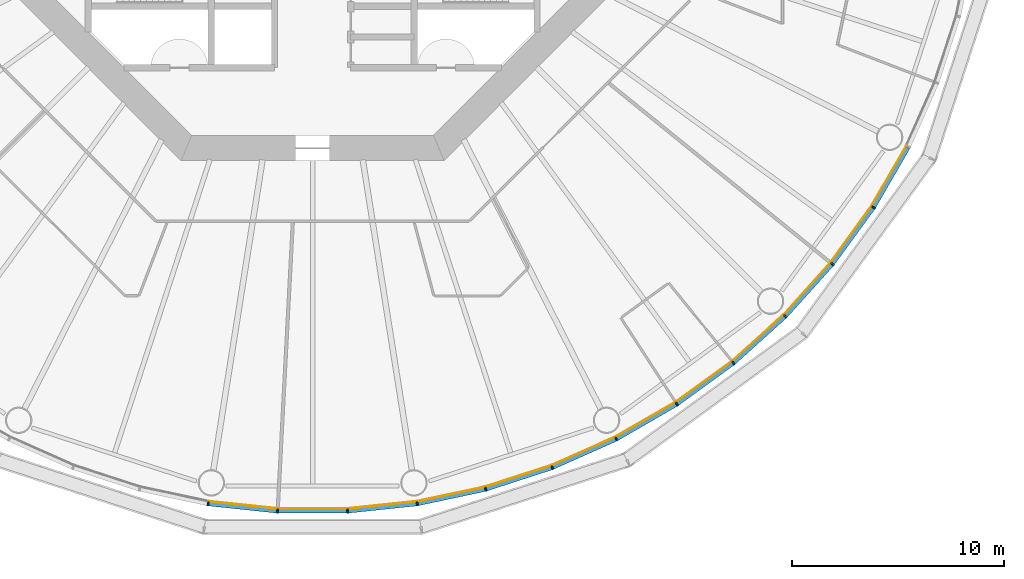
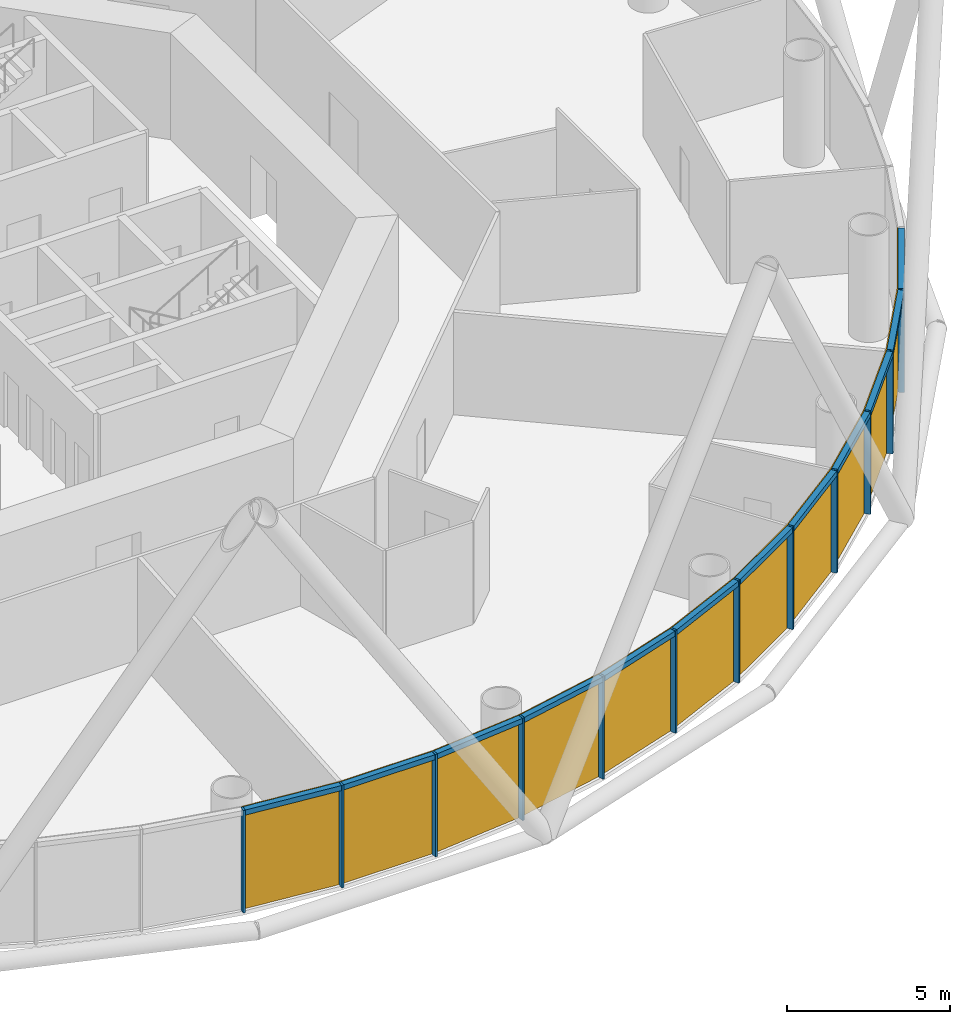
# One storey, part 9 of 14: 24 members, 4 curtain walls.
"""IFC4 building model written with IfcOpenShell, lengths in metres."""

from ifc_helpers import new_model, si_unit, direction, frame, origin, origin_2d, place, context, subcontext, project, spatial, polyline, rectangle, outline, extrude, material, layer, layer_set, material_profile, profile_set, type_object, element, aggregate, save


model = new_model("IFC4")

# Units and contexts
model_context = context("Model", 3, precision=1e-05, world=origin(), true_north=direction((0.0, 1.0)))
body_context = subcontext(model_context, "Body", "Model", "MODEL_VIEW")
ifc_project = project(units=[si_unit("LENGTHUNIT", "METRE"), si_unit("AREAUNIT", "SQUARE_METRE"), si_unit("VOLUMEUNIT", "CUBIC_METRE"), si_unit("PLANEANGLEUNIT", "RADIAN"), si_unit("MASSUNIT", "GRAM", prefix="KILO")], contexts=[model_context])

# Member
ifc_material_1 = material(Name="Anodised aluminium", Category="aluminium")
ifc_material_profile_1 = material_profile(ifc_material_1, rectangle(XDim=0.070068359375, YDim=0.199951171875, at=origin_2d()), Name="Mullion 70 x 200 mm anodised aluminium")
ifc_profile_set_1 = profile_set([ifc_material_profile_1], Name="Anodised aluminium")
member_type_1 = type_object("IfcMemberType", Name="Mullion 70 x 200 mm anodised aluminium", PredefinedType="MULLION", material=ifc_profile_set_1)
site_placement = place(None, origin())
building_placement = place(site_placement, origin())
storey_placement = place(building_placement, frame((0.0, 0.0, 80.0)))
member_1_placement = place(storey_placement, frame((85.056640625, 48.7890625, 0.0), z_axis=(0.0, 0.0, 1.0), x_axis=(0.987688340595, -0.15643446504, 0.0)))
member_1 = element("IfcMember", 1, at=member_1_placement, type_object=member_type_1, Name="MULLION L17-42", PredefinedType="MULLION", context=body_context, shape_type="SweptSolid", body=[
    extrude(rectangle(XDim=0.070068359375, YDim=0.199951171875, at=origin_2d()), origin(), (0.0, 0.0, 1.0), 3.85009765625),
])

member_2_placement = place(storey_placement, frame((88.34619140625, 48.443359375, 0.0), z_axis=(0.0, 0.0, 1.0), x_axis=(0.998629534755, -0.052335956243, 0.0)))
member_2 = element("IfcMember", 2, at=member_2_placement, type_object=member_type_1, Name="MULLION L17-43", PredefinedType="MULLION", context=body_context, shape_type="SweptSolid", body=[
    extrude(rectangle(XDim=0.070068359375, YDim=0.199951171875, at=origin_2d()), origin(), (0.0, 0.0, 1.0), 3.85009765625),
])

member_3_placement = place(storey_placement, frame((91.65380859375, 48.443359375, 0.0), z_axis=(0.0, 0.0, 1.0), x_axis=(0.998629534755, 0.052335956243, 0.0)))
member_3 = element("IfcMember", 3, at=member_3_placement, type_object=member_type_1, Name="MULLION L17-44", PredefinedType="MULLION", context=body_context, shape_type="SweptSolid", body=[
    extrude(rectangle(XDim=0.070068359375, YDim=0.199951171875, at=origin_2d()), origin(), (0.0, 0.0, 1.0), 3.85009765625),
])

member_4_placement = place(storey_placement, frame((94.943359375, 48.7890625, 0.0), z_axis=(0.0, 0.0, 1.0), x_axis=(0.987688340595, 0.15643446504, 0.0)))
member_4 = element("IfcMember", 4, at=member_4_placement, type_object=member_type_1, Name="MULLION L17-45", PredefinedType="MULLION", context=body_context, shape_type="SweptSolid", body=[
    extrude(rectangle(XDim=0.070068359375, YDim=0.199951171875, at=origin_2d()), origin(), (0.0, 0.0, 1.0), 3.85009765625),
])

member_5_placement = place(storey_placement, frame((98.1787109375, 49.476806640625, 0.0), z_axis=(0.0, 0.0, 1.0), x_axis=(0.965925826289, 0.258819045103, 0.0)))
member_5 = element("IfcMember", 5, at=member_5_placement, type_object=member_type_1, Name="MULLION L17-46", PredefinedType="MULLION", context=body_context, shape_type="SweptSolid", body=[
    extrude(rectangle(XDim=0.070068359375, YDim=0.199951171875, at=origin_2d()), origin(), (0.0, 0.0, 1.0), 3.85009765625),
])

member_6_placement = place(storey_placement, frame((101.324462890625, 50.498779296875, 0.0), z_axis=(0.0, 0.0, 1.0), x_axis=(0.933580426497, 0.358367949545, 0.0)))
member_6 = element("IfcMember", 6, at=member_6_placement, type_object=member_type_1, Name="MULLION L17-47", PredefinedType="MULLION", context=body_context, shape_type="SweptSolid", body=[
    extrude(rectangle(XDim=0.070068359375, YDim=0.199951171875, at=origin_2d()), origin(), (0.0, 0.0, 1.0), 3.85009765625),
])

member_7_placement = place(storey_placement, frame((104.34619140625, 51.84423828125, 0.0), z_axis=(0.0, 0.0, 1.0), x_axis=(0.891006524188, 0.45399049974, 0.0)))
member_7 = element("IfcMember", 7, at=member_7_placement, type_object=member_type_1, Name="MULLION L17-48", PredefinedType="MULLION", context=body_context, shape_type="SweptSolid", body=[
    extrude(rectangle(XDim=0.070068359375, YDim=0.199951171875, at=origin_2d()), origin(), (0.0, 0.0, 1.0), 3.85009765625),
])

member_8_placement = place(storey_placement, frame((107.210693359375, 53.498046875, 0.0), z_axis=(0.0, 0.0, 1.0), x_axis=(0.838670567945, 0.544639035015, 0.0)))
member_8 = element("IfcMember", 8, at=member_8_placement, type_object=member_type_1, Name="MULLION L17-49", PredefinedType="MULLION", context=body_context, shape_type="SweptSolid", body=[
    extrude(rectangle(XDim=0.070068359375, YDim=0.199951171875, at=origin_2d()), origin(), (0.0, 0.0, 1.0), 3.85009765625),
])

member_9_placement = place(storey_placement, frame((109.886474609375, 55.442138671875, 0.0), z_axis=(0.0, 0.0, 1.0), x_axis=(0.777145961457, 0.62932039105, 0.0)))
member_9 = element("IfcMember", 9, at=member_9_placement, type_object=member_type_1, Name="MULLION L17-50", PredefinedType="MULLION", context=body_context, shape_type="SweptSolid", body=[
    extrude(rectangle(XDim=0.070068359375, YDim=0.199951171875, at=origin_2d()), origin(), (0.0, 0.0, 1.0), 3.85009765625),
])

member_10_placement = place(storey_placement, frame((112.344482421875, 57.655517578125, 0.0), z_axis=(0.0, 0.0, 1.0), x_axis=(0.707106781187, 0.707106781187, 0.0)))
member_10 = element("IfcMember", 10, at=member_10_placement, type_object=member_type_1, Name="MULLION L17-51", PredefinedType="MULLION", context=body_context, shape_type="SweptSolid", body=[
    extrude(rectangle(XDim=0.070068359375, YDim=0.199951171875, at=origin_2d()), origin(), (0.0, 0.0, 1.0), 3.85009765625),
])

member_11_placement = place(storey_placement, frame((114.557861328125, 60.113525390625, 0.0), z_axis=(0.0, 0.0, 1.0), x_axis=(0.62932039105, 0.777145961457, 0.0)))
member_11 = element("IfcMember", 11, at=member_11_placement, type_object=member_type_1, Name="MULLION L17-52", PredefinedType="MULLION", context=body_context, shape_type="SweptSolid", body=[
    extrude(rectangle(XDim=0.070068359375, YDim=0.199951171875, at=origin_2d()), origin(), (0.0, 0.0, 1.0), 3.85009765625),
])

member_12_placement = place(storey_placement, frame((116.501953125, 62.789306640625, 0.0), z_axis=(0.0, 0.0, 1.0), x_axis=(0.544639035015, 0.838670567945, 0.0)))
member_12 = element("IfcMember", 12, at=member_12_placement, type_object=member_type_1, Name="MULLION L17-53", PredefinedType="MULLION", context=body_context, shape_type="SweptSolid", body=[
    extrude(rectangle(XDim=0.070068359375, YDim=0.199951171875, at=origin_2d()), origin(), (0.0, 0.0, 1.0), 3.85009765625),
])

ifc_material_2 = material(Name="Anodised aluminium", Category="aluminium")
ifc_material_profile_2 = material_profile(ifc_material_2, rectangle(XDim=0.199951171875, YDim=0.18994140625, at=origin_2d()), Name="Transom 190 x 200 mm anodised aluminium")
ifc_profile_set_2 = profile_set([ifc_material_profile_2], Name="Anodised aluminium")
member_type_2 = type_object("IfcMemberType", Name="Transom 190 x 200 mm anodised aluminium", PredefinedType="USERDEFINED", material=ifc_profile_set_2)
member_13_placement = place(storey_placement, frame((85.0966796875, 48.78466796875, 3.7548828125), z_axis=(0.994519537956, -0.104550890115, 0.0), x_axis=(0.104550890115, 0.994519537956, 0.0)))
member_13 = element("IfcMember", 13, at=member_13_placement, type_object=member_type_2, Name="TRANSOM L17-42", ObjectType="TRANSOM", PredefinedType="USERDEFINED", context=body_context, shape_type="SweptSolid", body=[
    extrude(rectangle(XDim=0.199951171875, YDim=0.18994140625, at=origin_2d()), origin(), (0.0, 0.0, 1.0), 3.22705078125),
])

member_14_placement = place(storey_placement, frame((88.386474609375, 48.443115234375, 3.7548828125), z_axis=(1.0, 0.0, 0.0), x_axis=(0.0, 1.0, 0.0)))
member_14 = element("IfcMember", 14, at=member_14_placement, type_object=member_type_2, Name="TRANSOM L17-43", ObjectType="TRANSOM", PredefinedType="USERDEFINED", context=body_context, shape_type="SweptSolid", body=[
    extrude(rectangle(XDim=0.199951171875, YDim=0.18994140625, at=origin_2d()), origin(), (0.0, 0.0, 1.0), 3.22705078125),
])

member_15_placement = place(storey_placement, frame((91.69384765625, 48.447265625, 3.7548828125), z_axis=(0.994519537956, 0.104550890115, 0.0), x_axis=(-0.104550890115, 0.994519537956, 0.0)))
member_15 = element("IfcMember", 15, at=member_15_placement, type_object=member_type_2, Name="TRANSOM L17-44", ObjectType="TRANSOM", PredefinedType="USERDEFINED", context=body_context, shape_type="SweptSolid", body=[
    extrude(rectangle(XDim=0.199951171875, YDim=0.18994140625, at=origin_2d()), origin(), (0.0, 0.0, 1.0), 3.22705078125),
])

member_16_placement = place(storey_placement, frame((94.982666015625, 48.79736328125, 3.7548828125), z_axis=(0.978153082647, 0.207885898771, 0.0), x_axis=(-0.207885898771, 0.978153082647, 0.0)))
member_16 = element("IfcMember", 16, at=member_16_placement, type_object=member_type_2, Name="TRANSOM L17-45", ObjectType="TRANSOM", PredefinedType="USERDEFINED", context=body_context, shape_type="SweptSolid", body=[
    extrude(rectangle(XDim=0.199951171875, YDim=0.18994140625, at=origin_2d()), origin(), (0.0, 0.0, 1.0), 3.227294921875),
])

member_17_placement = place(storey_placement, frame((98.217041015625, 49.489013671875, 3.7548828125), z_axis=(0.951046855117, 0.309046726844, 0.0), x_axis=(-0.309046726844, 0.951046855117, 0.0)))
member_17 = element("IfcMember", 17, at=member_17_placement, type_object=member_type_2, Name="TRANSOM L17-46", ObjectType="TRANSOM", PredefinedType="USERDEFINED", context=body_context, shape_type="SweptSolid", body=[
    extrude(rectangle(XDim=0.199951171875, YDim=0.18994140625, at=origin_2d()), origin(), (0.0, 0.0, 1.0), 3.22705078125),
])

member_18_placement = place(storey_placement, frame((101.361328125, 50.51513671875, 3.7548828125), z_axis=(0.913549291349, 0.406728032322, 0.0), x_axis=(-0.406728032322, 0.913549291349, 0.0)))
member_18 = element("IfcMember", 18, at=member_18_placement, type_object=member_type_2, Name="TRANSOM L17-47", ObjectType="TRANSOM", PredefinedType="USERDEFINED", context=body_context, shape_type="SweptSolid", body=[
    extrude(rectangle(XDim=0.199951171875, YDim=0.18994140625, at=origin_2d()), origin(), (0.0, 0.0, 1.0), 3.22705078125),
])

member_19_placement = place(storey_placement, frame((104.381103515625, 51.8642578125, 3.7548828125), z_axis=(0.866023062494, 0.500004055213, 0.0), x_axis=(-0.500004055213, 0.866023062494, 0.0)))
member_19 = element("IfcMember", 19, at=member_19_placement, type_object=member_type_2, Name="TRANSOM L17-48", ObjectType="TRANSOM", PredefinedType="USERDEFINED", context=body_context, shape_type="SweptSolid", body=[
    extrude(rectangle(XDim=0.199951171875, YDim=0.18994140625, at=origin_2d()), origin(), (0.0, 0.0, 1.0), 3.22705078125),
])

member_20_placement = place(storey_placement, frame((107.2431640625, 53.521484375, 3.7548828125), z_axis=(0.809004252048, 0.587802790201, 0.0), x_axis=(-0.587802790201, 0.809004252048, 0.0)))
member_20 = element("IfcMember", 20, at=member_20_placement, type_object=member_type_2, Name="TRANSOM L17-49", ObjectType="TRANSOM", PredefinedType="USERDEFINED", context=body_context, shape_type="SweptSolid", body=[
    extrude(rectangle(XDim=0.199951171875, YDim=0.18994140625, at=origin_2d()), origin(), (0.0, 0.0, 1.0), 3.227294921875),
])

member_21_placement = place(storey_placement, frame((109.91650390625, 55.468994140625, 3.7548828125), z_axis=(0.743132370743, 0.669144438484, 0.0), x_axis=(-0.669144438484, 0.743132370743, 0.0)))
member_21 = element("IfcMember", 21, at=member_21_placement, type_object=member_type_2, Name="TRANSOM L17-50", ObjectType="TRANSOM", PredefinedType="USERDEFINED", context=body_context, shape_type="SweptSolid", body=[
    extrude(rectangle(XDim=0.199951171875, YDim=0.18994140625, at=origin_2d()), origin(), (0.0, 0.0, 1.0), 3.22705078125),
])

member_22_placement = place(storey_placement, frame((112.37158203125, 57.685302734375, 3.7548828125), z_axis=(0.669144438484, 0.743132370743, 0.0), x_axis=(-0.743132370743, 0.669144438484, 0.0)))
member_22 = element("IfcMember", 22, at=member_22_placement, type_object=member_type_2, Name="TRANSOM L17-51", ObjectType="TRANSOM", PredefinedType="USERDEFINED", context=body_context, shape_type="SweptSolid", body=[
    extrude(rectangle(XDim=0.199951171875, YDim=0.18994140625, at=origin_2d()), origin(), (0.0, 0.0, 1.0), 3.22705078125),
])

member_23_placement = place(storey_placement, frame((114.58154296875, 60.14599609375, 3.7548828125), z_axis=(0.587802790201, 0.809004252048, 0.0), x_axis=(-0.809004252048, 0.587802790201, 0.0)))
member_23 = element("IfcMember", 23, at=member_23_placement, type_object=member_type_2, Name="TRANSOM L17-52", ObjectType="TRANSOM", PredefinedType="USERDEFINED", context=body_context, shape_type="SweptSolid", body=[
    extrude(rectangle(XDim=0.199951171875, YDim=0.18994140625, at=origin_2d()), origin(), (0.0, 0.0, 1.0), 3.227294921875),
])

member_24_placement = place(storey_placement, frame((116.522216796875, 62.82421875, 3.7548828125), z_axis=(0.500004055213, 0.866023062494, 0.0), x_axis=(-0.866023062494, 0.500004055213, 0.0)))
member_24 = element("IfcMember", 24, at=member_24_placement, type_object=member_type_2, Name="TRANSOM L17-53", ObjectType="TRANSOM", PredefinedType="USERDEFINED", context=body_context, shape_type="SweptSolid", body=[
    extrude(rectangle(XDim=0.199951171875, YDim=0.18994140625, at=origin_2d()), origin(), (0.0, 0.0, 1.0), 3.22705078125),
])

# Site, building, storey
site = spatial("IfcSite", under=ifc_project, at=site_placement, CompositionType="ELEMENT")
building = spatial("IfcBuilding", under=site, at=building_placement, Name="Entoto Ring Tower", CompositionType="ELEMENT")
storey = spatial("IfcBuildingStorey", under=building, at=storey_placement, Name="L17", CompositionType="ELEMENT", Elevation=80.0)

# Curtain wall
ifc_material_3 = material(Name="Clear low-iron glass", Category="glass")
ifc_layer = layer(ifc_material_3, 0.035888671875)
ifc_layer_set = layer_set([ifc_layer], Name="Clear low-iron glass")
curtain_wall_type = type_object("IfcCurtainWallType", Name="Curtain wall system CW2 glazing 36 mm", PredefinedType="NOTDEFINED", material=ifc_layer_set)
curtain_wall_1_placement = place(storey_placement, origin())
curtain_wall_1 = element("IfcCurtainWall", 25, at=curtain_wall_1_placement, inside=storey, type_object=curtain_wall_type, Name="CW2 L17-15", PredefinedType="NOTDEFINED", context=body_context, shape_type="SweptSolid", body=[
    extrude(outline(polyline([(85.072265625, 48.8876953125), (88.351318359375, 48.543212890625), (91.648681640625, 48.543212890625), (94.927734375, 48.8876953125), (94.922119140625, 48.92333984375), (91.646728515625, 48.5791015625), (88.353271484375, 48.5791015625), (85.077880859375, 48.92333984375), (85.072265625, 48.8876953125)])), origin(), (0.0, 0.0, 1.0), 3.85009765625),
])

aggregate(curtain_wall_1, [member_1, member_2, member_3, member_13, member_14, member_15])

curtain_wall_2_placement = place(storey_placement, origin())
curtain_wall_2 = element("IfcCurtainWall", 26, at=curtain_wall_2_placement, inside=storey, type_object=curtain_wall_type, Name="CW2 L17-16", PredefinedType="NOTDEFINED", context=body_context, shape_type="SweptSolid", body=[
    extrude(outline(polyline([(94.927734375, 48.8876953125), (98.15283203125, 49.5732421875), (101.28857421875, 50.59228515625), (104.30078125, 51.933349609375), (104.284423828125, 51.96533203125), (101.275634765625, 50.6259765625), (98.1435546875, 49.608154296875), (94.922119140625, 48.92333984375), (94.927734375, 48.8876953125)])), origin(), (0.0, 0.0, 1.0), 3.85009765625),
])

aggregate(curtain_wall_2, [member_4, member_5, member_6, member_16, member_17, member_18])

curtain_wall_3_placement = place(storey_placement, origin())
curtain_wall_3 = element("IfcCurtainWall", 27, at=curtain_wall_3_placement, inside=storey, type_object=curtain_wall_type, Name="CW2 L17-17", PredefinedType="NOTDEFINED", context=body_context, shape_type="SweptSolid", body=[
    extrude(outline(polyline([(104.30078125, 51.933349609375), (107.15625, 53.581787109375), (109.823486328125, 55.52001953125), (112.27392578125, 57.72607421875), (112.248291015625, 57.751708984375), (109.801025390625, 55.5478515625), (107.136474609375, 53.612060546875), (104.284423828125, 51.96533203125), (104.30078125, 51.933349609375)])), origin(), (0.0, 0.0, 1.0), 3.85009765625),
])

aggregate(curtain_wall_3, [member_7, member_8, member_9, member_19, member_20, member_21])

curtain_wall_4_placement = place(storey_placement, origin())
curtain_wall_4 = element("IfcCurtainWall", 28, at=curtain_wall_4_placement, inside=storey, type_object=curtain_wall_type, Name="CW2 L17-18", PredefinedType="NOTDEFINED", context=body_context, shape_type="SweptSolid", body=[
    extrude(outline(polyline([(112.27392578125, 57.72607421875), (114.47998046875, 60.176513671875), (116.418212890625, 62.84375), (118.066650390625, 65.69921875), (118.03466796875, 65.715576171875), (116.387939453125, 62.863525390625), (114.4521484375, 60.198974609375), (112.248291015625, 57.751708984375), (112.27392578125, 57.72607421875)])), origin(), (0.0, 0.0, 1.0), 3.85009765625),
])

aggregate(curtain_wall_4, [member_10, member_11, member_12, member_22, member_23, member_24])

save(model, "model.ifc")
